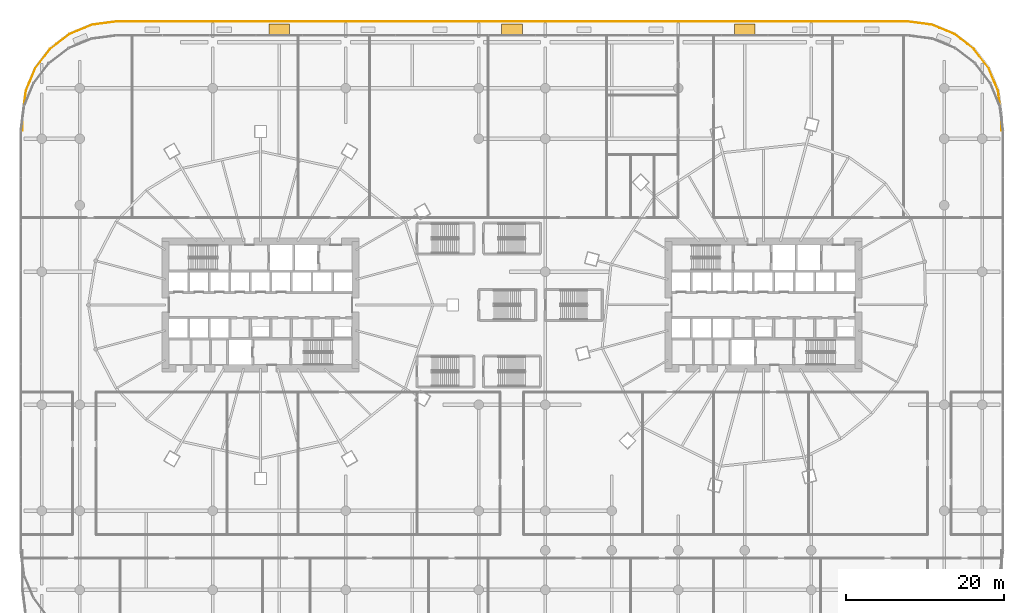
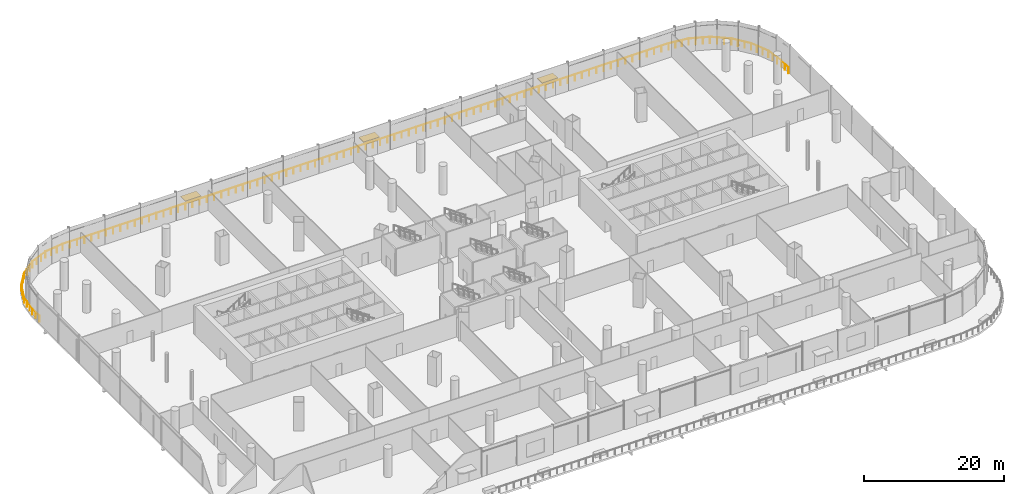
# One storey, part 50 of 51: 3 railings, 3 shading devices.
"""IFC4 building model written with IfcOpenShell, lengths in metres."""

from ifc_helpers import new_model, si_unit, direction, frame, origin, origin_2d, place, context, subcontext, project, spatial, rectangle, circle, extrude, material, layer, layer_set, type_object, element, save


model = new_model("IFC4")

# Units and contexts
model_context = context("Model", 3, precision=1e-05, world=origin(), true_north=direction((0.0, 1.0)))
body_context = subcontext(model_context, "Body", "Model", "MODEL_VIEW")
ifc_project = project(units=[si_unit("LENGTHUNIT", "METRE"), si_unit("AREAUNIT", "SQUARE_METRE"), si_unit("VOLUMEUNIT", "CUBIC_METRE"), si_unit("PLANEANGLEUNIT", "RADIAN"), si_unit("MASSUNIT", "GRAM", prefix="KILO")], contexts=[model_context])

# Site, building, storey
site_placement = place(None, origin())
site = spatial("IfcSite", under=ifc_project, at=site_placement, CompositionType="ELEMENT")
building_placement = place(site_placement, origin())
building = spatial("IfcBuilding", under=site, at=building_placement, Name="Rimbun Link Towers", CompositionType="ELEMENT")
storey_placement = place(building_placement, frame((0.0, 0.0, 7.0)))
storey = spatial("IfcBuildingStorey", under=building, at=storey_placement, Name="L01", CompositionType="ELEMENT", Elevation=7.0)

# Railings
ifc_material_1 = material(Name="Toughened laminated glass, stainless steel grade 316 posts and cap rail", Category="steel")
railing_type = type_object("IfcRailingType", Name="GUARD glass balustrade with stainless cap rail", PredefinedType="BALUSTRADE", material=ifc_material_1)
railing_1_placement = place(storey_placement, frame((61.800048828125, 22.0, 0.0)))
element("IfcRailing", 1, at=railing_1_placement, inside=storey, type_object=railing_type, Name="GUARD glass balustrade", PredefinedType="BALUSTRADE", context=body_context, shape_type="SweptSolid", body=[
    extrude(circle(Radius=0.02392578125, at=origin_2d()), frame((0.0, 0.0, 1.076171875), z_axis=(0.0, 1.0, 0.0), x_axis=(-1.0, 0.0, 0.0)), (0.0, 0.0, 1.0), 1.98681640625),
    extrude(circle(Radius=0.02392578125, at=origin_2d()), frame((0.0, 1.98681640625, 1.076171875), z_axis=(-0.130540259305, 0.991443009305, 0.0), x_axis=(-0.991443009305, -0.130540259305, 0.0)), (0.0, 0.0, 1.0), 3.09326171875),
    extrude(circle(Radius=0.02392578125, at=origin_2d()), frame((-0.40380859375, 5.0537109375, 1.076171875), z_axis=(-0.382706499462, 0.92386997747, 0.0), x_axis=(-0.92386997747, -0.382706499462, 0.0)), (0.0, 0.0, 1.0), 3.079833984375),
    extrude(circle(Radius=0.02392578125, at=origin_2d()), frame((-1.58251953125, 7.899169921875, 1.076171875), z_axis=(-0.608702762794, 0.793398353015, 0.0), x_axis=(-0.793398353015, -0.608702762794, 0.0)), (0.0, 0.0, 1.0), 3.079833984375),
    extrude(circle(Radius=0.02392578125, at=origin_2d()), frame((-3.457275390625, 10.3427734375, 1.076171875), z_axis=(-0.793398353015, 0.608702762794, 0.0), x_axis=(-0.608702762794, -0.793398353015, 0.0)), (0.0, 0.0, 1.0), 3.079833984375),
    extrude(circle(Radius=0.02392578125, at=origin_2d()), frame((-5.90087890625, 12.217529296875, 1.076171875), z_axis=(-0.92386997747, 0.382706499462, 0.0), x_axis=(-0.382706499462, -0.92386997747, 0.0)), (0.0, 0.0, 1.0), 3.079833984375),
    extrude(circle(Radius=0.02392578125, at=origin_2d()), frame((-8.746337890625, 13.396240234375, 1.076171875), z_axis=(-0.991443009305, 0.130540259305, 0.0), x_axis=(-0.130540259305, -0.991443009305, 0.0)), (0.0, 0.0, 1.0), 3.09326171875),
    extrude(circle(Radius=0.02099609375, at=origin_2d()), origin(), (0.0, 0.0, 1.0), 1.052001953125),
    extrude(circle(Radius=0.02099609375, at=origin_2d()), frame((0.0, 0.993408203125, 0.0)), (0.0, 0.0, 1.0), 1.052001953125),
    extrude(circle(Radius=0.02099609375, at=origin_2d()), frame((0.0, 1.98681640625, 0.0)), (0.0, 0.0, 1.0), 1.052001953125),
    extrude(circle(Radius=0.02099609375, at=origin_2d()), frame((-0.134521484375, 3.009033203125, 0.0)), (0.0, 0.0, 1.0), 1.052001953125),
    extrude(circle(Radius=0.02099609375, at=origin_2d()), frame((-0.269287109375, 4.031494140625, 0.0)), (0.0, 0.0, 1.0), 1.052001953125),
    extrude(circle(Radius=0.02099609375, at=origin_2d()), frame((-0.40380859375, 5.0537109375, 0.0)), (0.0, 0.0, 1.0), 1.052001953125),
    extrude(circle(Radius=0.02099609375, at=origin_2d()), frame((-0.796630859375, 6.002197265625, 0.0)), (0.0, 0.0, 1.0), 1.052001953125),
    extrude(circle(Radius=0.02099609375, at=origin_2d()), frame((-1.189697265625, 6.95068359375, 0.0)), (0.0, 0.0, 1.0), 1.052001953125),
    extrude(circle(Radius=0.02099609375, at=origin_2d()), frame((-1.58251953125, 7.899169921875, 0.0)), (0.0, 0.0, 1.0), 1.052001953125),
    extrude(circle(Radius=0.02099609375, at=origin_2d()), frame((-2.20751953125, 8.713623046875, 0.0)), (0.0, 0.0, 1.0), 1.052001953125),
    extrude(circle(Radius=0.02099609375, at=origin_2d()), frame((-2.832275390625, 9.5283203125, 0.0)), (0.0, 0.0, 1.0), 1.052001953125),
    extrude(circle(Radius=0.02099609375, at=origin_2d()), frame((-3.457275390625, 10.3427734375, 0.0)), (0.0, 0.0, 1.0), 1.052001953125),
    extrude(circle(Radius=0.02099609375, at=origin_2d()), frame((-4.271728515625, 10.9677734375, 0.0)), (0.0, 0.0, 1.0), 1.052001953125),
    extrude(circle(Radius=0.02099609375, at=origin_2d()), frame((-5.08642578125, 11.592529296875, 0.0)), (0.0, 0.0, 1.0), 1.052001953125),
    extrude(circle(Radius=0.02099609375, at=origin_2d()), frame((-5.90087890625, 12.217529296875, 0.0)), (0.0, 0.0, 1.0), 1.052001953125),
    extrude(circle(Radius=0.02099609375, at=origin_2d()), frame((-6.849365234375, 12.6103515625, 0.0)), (0.0, 0.0, 1.0), 1.052001953125),
    extrude(circle(Radius=0.02099609375, at=origin_2d()), frame((-7.7978515625, 13.00341796875, 0.0)), (0.0, 0.0, 1.0), 1.052001953125),
    extrude(circle(Radius=0.02099609375, at=origin_2d()), frame((-8.746337890625, 13.396240234375, 0.0)), (0.0, 0.0, 1.0), 1.052001953125),
    extrude(circle(Radius=0.02099609375, at=origin_2d()), frame((-9.7685546875, 13.53076171875, 0.0)), (0.0, 0.0, 1.0), 1.052001953125),
    extrude(circle(Radius=0.02099609375, at=origin_2d()), frame((-10.791015625, 13.66552734375, 0.0)), (0.0, 0.0, 1.0), 1.052001953125),
    extrude(circle(Radius=0.02099609375, at=origin_2d()), frame((-11.813232421875, 13.800048828125, 0.0)), (0.0, 0.0, 1.0), 1.052001953125),
])
railing_2_placement = place(storey_placement, frame((49.98681640625, 35.800048828125, 0.0)))
element("IfcRailing", 2, at=railing_2_placement, inside=storey, type_object=railing_type, Name="GUARD glass balustrade", PredefinedType="BALUSTRADE", context=body_context, shape_type="SweptSolid", body=[
    extrude(circle(Radius=0.02392578125, at=origin_2d()), frame((0.0, 0.0, 1.076171875), z_axis=(-1.0, 0.0, 0.0), x_axis=(0.0, -1.0, 0.0)), (0.0, 0.0, 1.0), 99.9736328125),
    extrude(circle(Radius=0.02099609375, at=origin_2d()), origin(), (0.0, 0.0, 1.0), 1.052001953125),
    extrude(circle(Radius=0.02099609375, at=origin_2d()), frame((-1.190185546875, 0.0, 0.0)), (0.0, 0.0, 1.0), 1.052001953125),
    extrude(circle(Radius=0.02099609375, at=origin_2d()), frame((-2.38037109375, 0.0, 0.0)), (0.0, 0.0, 1.0), 1.052001953125),
    extrude(circle(Radius=0.02099609375, at=origin_2d()), frame((-3.570556640625, 0.0, 0.0)), (0.0, 0.0, 1.0), 1.052001953125),
    extrude(circle(Radius=0.02099609375, at=origin_2d()), frame((-4.7607421875, 0.0, 0.0)), (0.0, 0.0, 1.0), 1.052001953125),
    extrude(circle(Radius=0.02099609375, at=origin_2d()), frame((-5.950927734375, 0.0, 0.0)), (0.0, 0.0, 1.0), 1.052001953125),
    extrude(circle(Radius=0.02099609375, at=origin_2d()), frame((-7.140869140625, 0.0, 0.0)), (0.0, 0.0, 1.0), 1.052001953125),
    extrude(circle(Radius=0.02099609375, at=origin_2d()), frame((-8.3310546875, 0.0, 0.0)), (0.0, 0.0, 1.0), 1.052001953125),
    extrude(circle(Radius=0.02099609375, at=origin_2d()), frame((-9.521240234375, 0.0, 0.0)), (0.0, 0.0, 1.0), 1.052001953125),
    extrude(circle(Radius=0.02099609375, at=origin_2d()), frame((-10.71142578125, 0.0, 0.0)), (0.0, 0.0, 1.0), 1.052001953125),
    extrude(circle(Radius=0.02099609375, at=origin_2d()), frame((-11.901611328125, 0.0, 0.0)), (0.0, 0.0, 1.0), 1.052001953125),
    extrude(circle(Radius=0.02099609375, at=origin_2d()), frame((-13.091796875, 0.0, 0.0)), (0.0, 0.0, 1.0), 1.052001953125),
    extrude(circle(Radius=0.02099609375, at=origin_2d()), frame((-14.281982421875, 0.0, 0.0)), (0.0, 0.0, 1.0), 1.052001953125),
    extrude(circle(Radius=0.02099609375, at=origin_2d()), frame((-15.47216796875, 0.0, 0.0)), (0.0, 0.0, 1.0), 1.052001953125),
    extrude(circle(Radius=0.02099609375, at=origin_2d()), frame((-16.662353515625, 0.0, 0.0)), (0.0, 0.0, 1.0), 1.052001953125),
    extrude(circle(Radius=0.02099609375, at=origin_2d()), frame((-17.8525390625, 0.0, 0.0)), (0.0, 0.0, 1.0), 1.052001953125),
    extrude(circle(Radius=0.02099609375, at=origin_2d()), frame((-19.04248046875, 0.0, 0.0)), (0.0, 0.0, 1.0), 1.052001953125),
    extrude(circle(Radius=0.02099609375, at=origin_2d()), frame((-20.232666015625, 0.0, 0.0)), (0.0, 0.0, 1.0), 1.052001953125),
    extrude(circle(Radius=0.02099609375, at=origin_2d()), frame((-21.4228515625, 0.0, 0.0)), (0.0, 0.0, 1.0), 1.052001953125),
    extrude(circle(Radius=0.02099609375, at=origin_2d()), frame((-22.613037109375, 0.0, 0.0)), (0.0, 0.0, 1.0), 1.052001953125),
    extrude(circle(Radius=0.02099609375, at=origin_2d()), frame((-23.80322265625, 0.0, 0.0)), (0.0, 0.0, 1.0), 1.052001953125),
    extrude(circle(Radius=0.02099609375, at=origin_2d()), frame((-24.993408203125, 0.0, 0.0)), (0.0, 0.0, 1.0), 1.052001953125),
    extrude(circle(Radius=0.02099609375, at=origin_2d()), frame((-26.18359375, 0.0, 0.0)), (0.0, 0.0, 1.0), 1.052001953125),
    extrude(circle(Radius=0.02099609375, at=origin_2d()), frame((-27.373779296875, 0.0, 0.0)), (0.0, 0.0, 1.0), 1.052001953125),
    extrude(circle(Radius=0.02099609375, at=origin_2d()), frame((-28.56396484375, 0.0, 0.0)), (0.0, 0.0, 1.0), 1.052001953125),
    extrude(circle(Radius=0.02099609375, at=origin_2d()), frame((-29.754150390625, 0.0, 0.0)), (0.0, 0.0, 1.0), 1.052001953125),
    extrude(circle(Radius=0.02099609375, at=origin_2d()), frame((-30.9443359375, 0.0, 0.0)), (0.0, 0.0, 1.0), 1.052001953125),
    extrude(circle(Radius=0.02099609375, at=origin_2d()), frame((-32.13427734375, 0.0, 0.0)), (0.0, 0.0, 1.0), 1.052001953125),
    extrude(circle(Radius=0.02099609375, at=origin_2d()), frame((-33.324462890625, 0.0, 0.0)), (0.0, 0.0, 1.0), 1.052001953125),
    extrude(circle(Radius=0.02099609375, at=origin_2d()), frame((-34.5146484375, 0.0, 0.0)), (0.0, 0.0, 1.0), 1.052001953125),
    extrude(circle(Radius=0.02099609375, at=origin_2d()), frame((-35.704833984375, 0.0, 0.0)), (0.0, 0.0, 1.0), 1.052001953125),
    extrude(circle(Radius=0.02099609375, at=origin_2d()), frame((-36.89501953125, 0.0, 0.0)), (0.0, 0.0, 1.0), 1.052001953125),
    extrude(circle(Radius=0.02099609375, at=origin_2d()), frame((-38.085205078125, 0.0, 0.0)), (0.0, 0.0, 1.0), 1.052001953125),
    extrude(circle(Radius=0.02099609375, at=origin_2d()), frame((-39.275390625, 0.0, 0.0)), (0.0, 0.0, 1.0), 1.052001953125),
    extrude(circle(Radius=0.02099609375, at=origin_2d()), frame((-40.465576171875, 0.0, 0.0)), (0.0, 0.0, 1.0), 1.052001953125),
    extrude(circle(Radius=0.02099609375, at=origin_2d()), frame((-41.65576171875, 0.0, 0.0)), (0.0, 0.0, 1.0), 1.052001953125),
    extrude(circle(Radius=0.02099609375, at=origin_2d()), frame((-42.845947265625, 0.0, 0.0)), (0.0, 0.0, 1.0), 1.052001953125),
    extrude(circle(Radius=0.02099609375, at=origin_2d()), frame((-44.035888671875, 0.0, 0.0)), (0.0, 0.0, 1.0), 1.052001953125),
    extrude(circle(Radius=0.02099609375, at=origin_2d()), frame((-45.22607421875, 0.0, 0.0)), (0.0, 0.0, 1.0), 1.052001953125),
    extrude(circle(Radius=0.02099609375, at=origin_2d()), frame((-46.416259765625, 0.0, 0.0)), (0.0, 0.0, 1.0), 1.052001953125),
    extrude(circle(Radius=0.02099609375, at=origin_2d()), frame((-47.6064453125, 0.0, 0.0)), (0.0, 0.0, 1.0), 1.052001953125),
    extrude(circle(Radius=0.02099609375, at=origin_2d()), frame((-48.796630859375, 0.0, 0.0)), (0.0, 0.0, 1.0), 1.052001953125),
    extrude(circle(Radius=0.02099609375, at=origin_2d()), frame((-49.98681640625, 0.0, 0.0)), (0.0, 0.0, 1.0), 1.052001953125),
    extrude(circle(Radius=0.02099609375, at=origin_2d()), frame((-51.177001953125, 0.0, 0.0)), (0.0, 0.0, 1.0), 1.052001953125),
    extrude(circle(Radius=0.02099609375, at=origin_2d()), frame((-52.3671875, 0.0, 0.0)), (0.0, 0.0, 1.0), 1.052001953125),
    extrude(circle(Radius=0.02099609375, at=origin_2d()), frame((-53.557373046875, 0.0, 0.0)), (0.0, 0.0, 1.0), 1.052001953125),
    extrude(circle(Radius=0.02099609375, at=origin_2d()), frame((-54.74755859375, 0.0, 0.0)), (0.0, 0.0, 1.0), 1.052001953125),
    extrude(circle(Radius=0.02099609375, at=origin_2d()), frame((-55.937744140625, 0.0, 0.0)), (0.0, 0.0, 1.0), 1.052001953125),
    extrude(circle(Radius=0.02099609375, at=origin_2d()), frame((-57.127685546875, 0.0, 0.0)), (0.0, 0.0, 1.0), 1.052001953125),
    extrude(circle(Radius=0.02099609375, at=origin_2d()), frame((-58.31787109375, 0.0, 0.0)), (0.0, 0.0, 1.0), 1.052001953125),
    extrude(circle(Radius=0.02099609375, at=origin_2d()), frame((-59.508056640625, 0.0, 0.0)), (0.0, 0.0, 1.0), 1.052001953125),
    extrude(circle(Radius=0.02099609375, at=origin_2d()), frame((-60.6982421875, 0.0, 0.0)), (0.0, 0.0, 1.0), 1.052001953125),
    extrude(circle(Radius=0.02099609375, at=origin_2d()), frame((-61.888427734375, 0.0, 0.0)), (0.0, 0.0, 1.0), 1.052001953125),
    extrude(circle(Radius=0.02099609375, at=origin_2d()), frame((-63.07861328125, 0.0, 0.0)), (0.0, 0.0, 1.0), 1.052001953125),
    extrude(circle(Radius=0.02099609375, at=origin_2d()), frame((-64.268798828125, 0.0, 0.0)), (0.0, 0.0, 1.0), 1.052001953125),
    extrude(circle(Radius=0.02099609375, at=origin_2d()), frame((-65.458984375, 0.0, 0.0)), (0.0, 0.0, 1.0), 1.052001953125),
    extrude(circle(Radius=0.02099609375, at=origin_2d()), frame((-66.649169921875, 0.0, 0.0)), (0.0, 0.0, 1.0), 1.052001953125),
    extrude(circle(Radius=0.02099609375, at=origin_2d()), frame((-67.83935546875, 0.0, 0.0)), (0.0, 0.0, 1.0), 1.052001953125),
    extrude(circle(Radius=0.02099609375, at=origin_2d()), frame((-69.029296875, 0.0, 0.0)), (0.0, 0.0, 1.0), 1.052001953125),
    extrude(circle(Radius=0.02099609375, at=origin_2d()), frame((-70.219482421875, 0.0, 0.0)), (0.0, 0.0, 1.0), 1.052001953125),
    extrude(circle(Radius=0.02099609375, at=origin_2d()), frame((-71.40966796875, 0.0, 0.0)), (0.0, 0.0, 1.0), 1.052001953125),
    extrude(circle(Radius=0.02099609375, at=origin_2d()), frame((-72.599853515625, 0.0, 0.0)), (0.0, 0.0, 1.0), 1.052001953125),
    extrude(circle(Radius=0.02099609375, at=origin_2d()), frame((-73.7900390625, 0.0, 0.0)), (0.0, 0.0, 1.0), 1.052001953125),
    extrude(circle(Radius=0.02099609375, at=origin_2d()), frame((-74.980224609375, 0.0, 0.0)), (0.0, 0.0, 1.0), 1.052001953125),
    extrude(circle(Radius=0.02099609375, at=origin_2d()), frame((-76.17041015625, 0.0, 0.0)), (0.0, 0.0, 1.0), 1.052001953125),
    extrude(circle(Radius=0.02099609375, at=origin_2d()), frame((-77.360595703125, 0.0, 0.0)), (0.0, 0.0, 1.0), 1.052001953125),
    extrude(circle(Radius=0.02099609375, at=origin_2d()), frame((-78.55078125, 0.0, 0.0)), (0.0, 0.0, 1.0), 1.052001953125),
    extrude(circle(Radius=0.02099609375, at=origin_2d()), frame((-79.740966796875, 0.0, 0.0)), (0.0, 0.0, 1.0), 1.052001953125),
    extrude(circle(Radius=0.02099609375, at=origin_2d()), frame((-80.93115234375, 0.0, 0.0)), (0.0, 0.0, 1.0), 1.052001953125),
    extrude(circle(Radius=0.02099609375, at=origin_2d()), frame((-82.12109375, 0.0, 0.0)), (0.0, 0.0, 1.0), 1.052001953125),
    extrude(circle(Radius=0.02099609375, at=origin_2d()), frame((-83.311279296875, 0.0, 0.0)), (0.0, 0.0, 1.0), 1.052001953125),
    extrude(circle(Radius=0.02099609375, at=origin_2d()), frame((-84.50146484375, 0.0, 0.0)), (0.0, 0.0, 1.0), 1.052001953125),
    extrude(circle(Radius=0.02099609375, at=origin_2d()), frame((-85.691650390625, 0.0, 0.0)), (0.0, 0.0, 1.0), 1.052001953125),
    extrude(circle(Radius=0.02099609375, at=origin_2d()), frame((-86.8818359375, 0.0, 0.0)), (0.0, 0.0, 1.0), 1.052001953125),
    extrude(circle(Radius=0.02099609375, at=origin_2d()), frame((-88.072021484375, 0.0, 0.0)), (0.0, 0.0, 1.0), 1.052001953125),
    extrude(circle(Radius=0.02099609375, at=origin_2d()), frame((-89.26220703125, 0.0, 0.0)), (0.0, 0.0, 1.0), 1.052001953125),
    extrude(circle(Radius=0.02099609375, at=origin_2d()), frame((-90.452392578125, 0.0, 0.0)), (0.0, 0.0, 1.0), 1.052001953125),
    extrude(circle(Radius=0.02099609375, at=origin_2d()), frame((-91.642578125, 0.0, 0.0)), (0.0, 0.0, 1.0), 1.052001953125),
    extrude(circle(Radius=0.02099609375, at=origin_2d()), frame((-92.832763671875, 0.0, 0.0)), (0.0, 0.0, 1.0), 1.052001953125),
    extrude(circle(Radius=0.02099609375, at=origin_2d()), frame((-94.022705078125, 0.0, 0.0)), (0.0, 0.0, 1.0), 1.052001953125),
    extrude(circle(Radius=0.02099609375, at=origin_2d()), frame((-95.212890625, 0.0, 0.0)), (0.0, 0.0, 1.0), 1.052001953125),
    extrude(circle(Radius=0.02099609375, at=origin_2d()), frame((-96.403076171875, 0.0, 0.0)), (0.0, 0.0, 1.0), 1.052001953125),
    extrude(circle(Radius=0.02099609375, at=origin_2d()), frame((-97.59326171875, 0.0, 0.0)), (0.0, 0.0, 1.0), 1.052001953125),
    extrude(circle(Radius=0.02099609375, at=origin_2d()), frame((-98.783447265625, 0.0, 0.0)), (0.0, 0.0, 1.0), 1.052001953125),
    extrude(circle(Radius=0.02099609375, at=origin_2d()), frame((-99.9736328125, 0.0, 0.0)), (0.0, 0.0, 1.0), 1.052001953125),
])
railing_3_placement = place(storey_placement, frame((-49.98681640625, 35.800048828125, 0.0)))
element("IfcRailing", 3, at=railing_3_placement, inside=storey, type_object=railing_type, Name="GUARD glass balustrade", PredefinedType="BALUSTRADE", context=body_context, shape_type="SweptSolid", body=[
    extrude(circle(Radius=0.02392578125, at=origin_2d()), frame((0.0, 0.0, 1.076171875), z_axis=(-0.991443009305, -0.130540259305, 0.0), x_axis=(0.130540259305, -0.991443009305, 0.0)), (0.0, 0.0, 1.0), 3.09326171875),
    extrude(circle(Radius=0.02392578125, at=origin_2d()), frame((-3.06689453125, -0.40380859375, 1.076171875), z_axis=(-0.92386997747, -0.382706499462, 0.0), x_axis=(0.382706499462, -0.92386997747, 0.0)), (0.0, 0.0, 1.0), 3.079833984375),
    extrude(circle(Radius=0.02392578125, at=origin_2d()), frame((-5.912353515625, -1.58251953125, 1.076171875), z_axis=(-0.793398353015, -0.608702762794, 0.0), x_axis=(0.608702762794, -0.793398353015, 0.0)), (0.0, 0.0, 1.0), 3.079833984375),
    extrude(circle(Radius=0.02392578125, at=origin_2d()), frame((-8.35595703125, -3.457275390625, 1.076171875), z_axis=(-0.608702762794, -0.793398353015, 0.0), x_axis=(0.793398353015, -0.608702762794, 0.0)), (0.0, 0.0, 1.0), 3.079833984375),
    extrude(circle(Radius=0.02392578125, at=origin_2d()), frame((-10.230712890625, -5.90087890625, 1.076171875), z_axis=(-0.382706499462, -0.92386997747, 0.0), x_axis=(0.92386997747, -0.382706499462, 0.0)), (0.0, 0.0, 1.0), 3.079833984375),
    extrude(circle(Radius=0.02392578125, at=origin_2d()), frame((-11.409423828125, -8.746337890625, 1.076171875), z_axis=(-0.130540259305, -0.991443009305, 0.0), x_axis=(0.991443009305, -0.130540259305, 0.0)), (0.0, 0.0, 1.0), 3.09326171875),
    extrude(circle(Radius=0.02392578125, at=origin_2d()), frame((-11.813232421875, -11.813232421875, 1.076171875), z_axis=(0.0, -1.0, 0.0), x_axis=(1.0, 0.0, 0.0)), (0.0, 0.0, 1.0), 1.98681640625),
    extrude(circle(Radius=0.02099609375, at=origin_2d()), origin(), (0.0, 0.0, 1.0), 1.052001953125),
    extrude(circle(Radius=0.02099609375, at=origin_2d()), frame((-1.022216796875, -0.134521484375, 0.0)), (0.0, 0.0, 1.0), 1.052001953125),
    extrude(circle(Radius=0.02099609375, at=origin_2d()), frame((-2.044677734375, -0.269287109375, 0.0)), (0.0, 0.0, 1.0), 1.052001953125),
    extrude(circle(Radius=0.02099609375, at=origin_2d()), frame((-3.06689453125, -0.40380859375, 0.0)), (0.0, 0.0, 1.0), 1.052001953125),
    extrude(circle(Radius=0.02099609375, at=origin_2d()), frame((-4.015380859375, -0.796630859375, 0.0)), (0.0, 0.0, 1.0), 1.052001953125),
    extrude(circle(Radius=0.02099609375, at=origin_2d()), frame((-4.9638671875, -1.189697265625, 0.0)), (0.0, 0.0, 1.0), 1.052001953125),
    extrude(circle(Radius=0.02099609375, at=origin_2d()), frame((-5.912353515625, -1.58251953125, 0.0)), (0.0, 0.0, 1.0), 1.052001953125),
    extrude(circle(Radius=0.02099609375, at=origin_2d()), frame((-6.726806640625, -2.20751953125, 0.0)), (0.0, 0.0, 1.0), 1.052001953125),
    extrude(circle(Radius=0.02099609375, at=origin_2d()), frame((-7.54150390625, -2.832275390625, 0.0)), (0.0, 0.0, 1.0), 1.052001953125),
    extrude(circle(Radius=0.02099609375, at=origin_2d()), frame((-8.35595703125, -3.457275390625, 0.0)), (0.0, 0.0, 1.0), 1.052001953125),
    extrude(circle(Radius=0.02099609375, at=origin_2d()), frame((-8.98095703125, -4.271728515625, 0.0)), (0.0, 0.0, 1.0), 1.052001953125),
    extrude(circle(Radius=0.02099609375, at=origin_2d()), frame((-9.605712890625, -5.08642578125, 0.0)), (0.0, 0.0, 1.0), 1.052001953125),
    extrude(circle(Radius=0.02099609375, at=origin_2d()), frame((-10.230712890625, -5.90087890625, 0.0)), (0.0, 0.0, 1.0), 1.052001953125),
    extrude(circle(Radius=0.02099609375, at=origin_2d()), frame((-10.62353515625, -6.849365234375, 0.0)), (0.0, 0.0, 1.0), 1.052001953125),
    extrude(circle(Radius=0.02099609375, at=origin_2d()), frame((-11.0166015625, -7.7978515625, 0.0)), (0.0, 0.0, 1.0), 1.052001953125),
    extrude(circle(Radius=0.02099609375, at=origin_2d()), frame((-11.409423828125, -8.746337890625, 0.0)), (0.0, 0.0, 1.0), 1.052001953125),
    extrude(circle(Radius=0.02099609375, at=origin_2d()), frame((-11.5439453125, -9.7685546875, 0.0)), (0.0, 0.0, 1.0), 1.052001953125),
    extrude(circle(Radius=0.02099609375, at=origin_2d()), frame((-11.6787109375, -10.791015625, 0.0)), (0.0, 0.0, 1.0), 1.052001953125),
    extrude(circle(Radius=0.02099609375, at=origin_2d()), frame((-11.813232421875, -11.813232421875, 0.0)), (0.0, 0.0, 1.0), 1.052001953125),
    extrude(circle(Radius=0.02099609375, at=origin_2d()), frame((-11.813232421875, -12.806640625, 0.0)), (0.0, 0.0, 1.0), 1.052001953125),
    extrude(circle(Radius=0.02099609375, at=origin_2d()), frame((-11.813232421875, -13.800048828125, 0.0)), (0.0, 0.0, 1.0), 1.052001953125),
])

# Shading devices
ifc_material_2 = material(Name="Aluminium 6063-T6 louvre blades in a powder-coated aluminium frame", Category="aluminium")
ifc_layer = layer(ifc_material_2, 0.139892578125)
ifc_layer_set = layer_set([ifc_layer], Name="RAIN CANOPY louvre blades 2600X1400")
shading_device_type = type_object("IfcShadingDeviceType", Name="RAIN CANOPY louvre blades 2600X1400", PredefinedType="AWNING", material=ifc_layer_set)
for number, where, z_axis, x_axis, name in (
    (4, (29.411865234375, 34.800048828125, 2.7001953125), (0.0, 0.0, 1.0), (1.0, 0.0, 0.0), "RAIN CANOPY over terrace door"),
    (5, (0.0, 34.800048828125, 2.7001953125), (0.0, 0.0, 1.0), (1.0, 0.0, 0.0), "RAIN CANOPY over terrace door"),
    (6, (-29.411865234375, 34.800048828125, 2.7001953125), (0.0, 0.0, 1.0), (1.0, 0.0, 0.0), "RAIN CANOPY over terrace door"),
):
    element("IfcShadingDevice", number, at=place(storey_placement, frame(where, z_axis=z_axis, x_axis=x_axis)), inside=storey, type_object=shading_device_type, Name=name, PredefinedType="AWNING", context=body_context, shape_type="SweptSolid", body=[
        extrude(rectangle(XDim=2.60009765625, YDim=1.39990234375, at=origin_2d()), origin(), (0.0, 0.0, 1.0), 0.139892578125),
    ])

save(model, "model.ifc")
